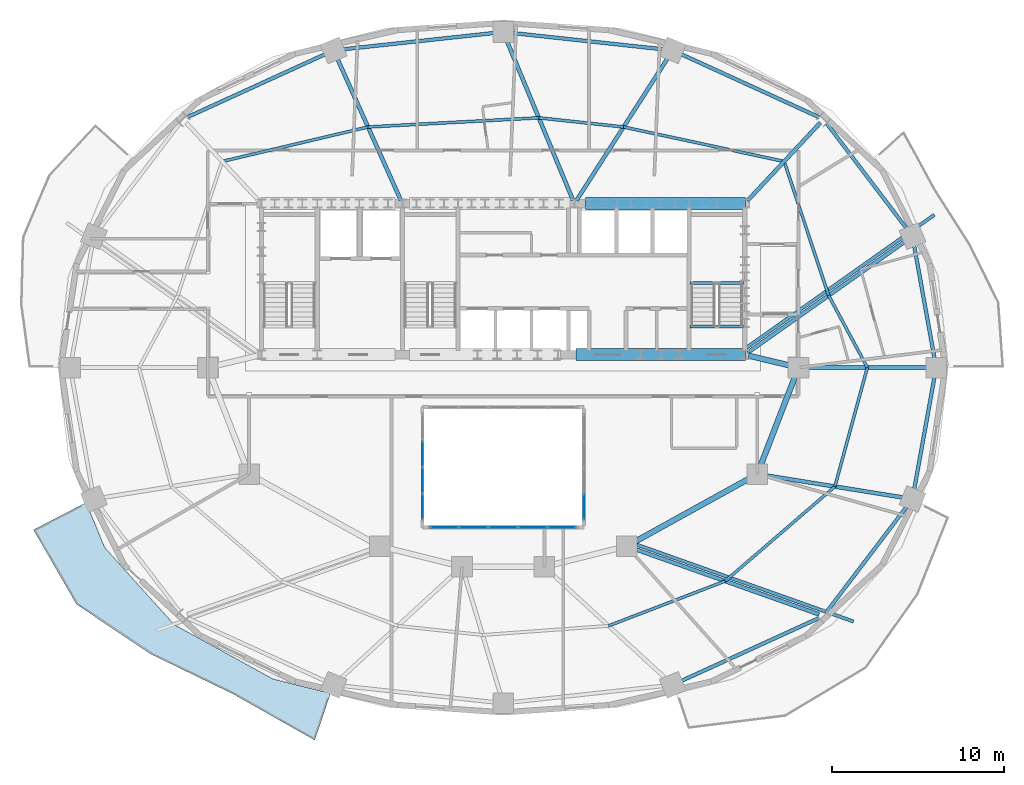
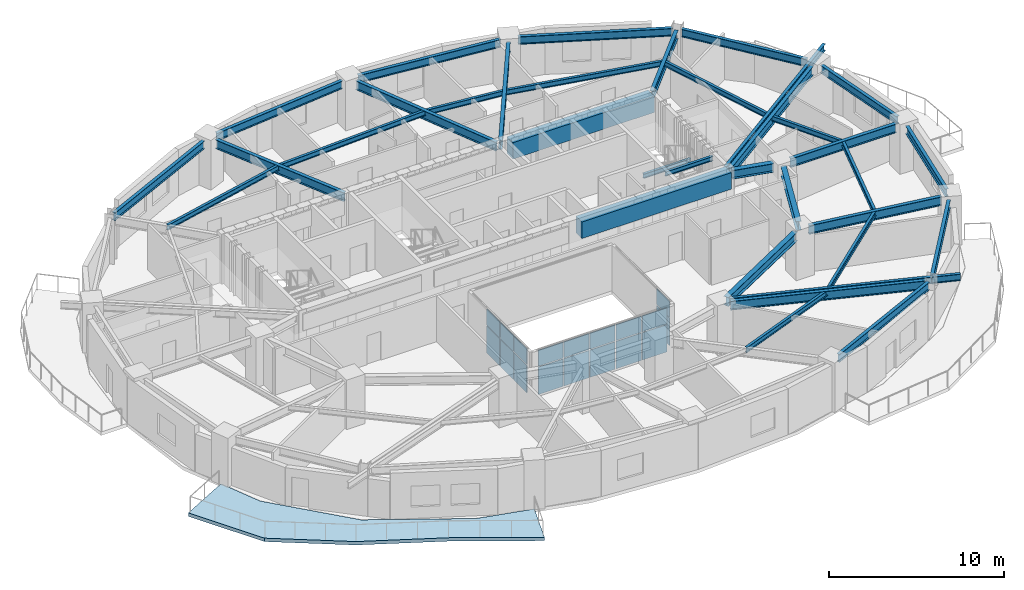
# One storey, part 4 of 13: 35 beams, 18 plates, 1 slab, 3 elements without a shape of their own.
"""IFC4 building model written with IfcOpenShell, lengths in metres."""

from ifc_helpers import new_model, si_unit, direction, frame, origin, origin_2d, place, context, subcontext, project, spatial, polyline, rectangle, i_section, outline, extrude, material, layer, layer_set, material_profile, profile_set, type_object, element, aggregate, save


model = new_model("IFC4")

# Units and contexts
model_context = context("Model", 3, precision=1e-05, world=origin(), true_north=direction((0.0, 1.0)))
body_context = subcontext(model_context, "Body", "Model", "MODEL_VIEW")
ifc_project = project(units=[si_unit("LENGTHUNIT", "METRE"), si_unit("AREAUNIT", "SQUARE_METRE"), si_unit("VOLUMEUNIT", "CUBIC_METRE"), si_unit("PLANEANGLEUNIT", "RADIAN"), si_unit("MASSUNIT", "GRAM", prefix="KILO")], contexts=[model_context])

# Site, building, storey
site_placement = place(None, origin())
site = spatial("IfcSite", under=ifc_project, at=site_placement, CompositionType="ELEMENT")
building_placement = place(site_placement, origin())
building = spatial("IfcBuilding", under=site, at=building_placement, Name="Haldorwick Loom Tower", CompositionType="ELEMENT")
storey_placement = place(building_placement, frame((0.0, 0.0, 135.64990234375)))
storey = spatial("IfcBuildingStorey", under=building, at=storey_placement, Name="L36", CompositionType="ELEMENT", Elevation=135.64990234375)

# Beams
ifc_material_1 = material(Name="Steel CSA G40.21 350W", Category="steel")
ifc_material_profile_1 = material_profile(ifc_material_1, i_section(OverallWidth=0.193115234375, OverallDepth=0.466064453125, WebThickness=0.011474609375, FlangeThickness=0.01904296875, at=origin_2d()), Name="W460X97", Category="steel")
ifc_profile_set_1 = profile_set([ifc_material_profile_1], Name="Steel CSA G40.21 350W")
beam_type_1 = type_object("IfcBeamType", Name="STR-BM-BAL460", PredefinedType="BEAM", material=ifc_profile_set_1)
beam_1_placement = place(storey_placement, frame((43.78369140625, 15.68994140625, 2.97705078125), z_axis=(0.942447955832, -0.334352883266, 0.0), x_axis=(0.334352883266, 0.942447955832, 0.0)))
element("IfcBeam", 1, at=beam_1_placement, inside=storey, type_object=beam_type_1, Name="L36 Continuous Back-Spanned Balcony Beam 1", PredefinedType="BEAM", context=body_context, shape_type="SweptSolid", body=[
    extrude(i_section(OverallWidth=0.193115234375, OverallDepth=0.466064453125, WebThickness=0.011474609375, FlangeThickness=0.01904296875, at=origin_2d()), origin(), (0.0, 0.0, 1.0), 13.385009765625),
])
beam_2_placement = place(storey_placement, frame((50.092041015625, 27.1083984375, 2.97705078125), z_axis=(0.816570288691, 0.577246016554, 0.0), x_axis=(-0.577246016554, 0.816570288691, 0.0)))
element("IfcBeam", 2, at=beam_2_placement, inside=storey, type_object=beam_type_1, Name="L36 Continuous Back-Spanned Balcony Beam 4", PredefinedType="BEAM", context=body_context, shape_type="SweptSolid", body=[
    extrude(i_section(OverallWidth=0.193115234375, OverallDepth=0.466064453125, WebThickness=0.011474609375, FlangeThickness=0.01904296875, at=origin_2d()), origin(), (0.0, 0.0, 1.0), 13.485107421875),
])
ifc_material_2 = material(Name="Concrete C60 (60 MPa)", Category="concrete")
ifc_material_profile_2 = material_profile(ifc_material_2, rectangle(XDim=0.699951171875, YDim=1.14990234375, at=origin_2d()), Name="RC700X1150", Category="concrete")
ifc_profile_set_2 = profile_set([ifc_material_profile_2], Name="Concrete C60 (60 MPa)")
beam_type_2 = type_object("IfcBeamType", Name="STR-BM-CB1150", PredefinedType="LINTEL", material=ifc_profile_set_2)
beam_3_placement = place(storey_placement, frame((40.800048828125, 35.550048828125, 2.635009765625), z_axis=(1.0, 0.0, 0.0), x_axis=(0.0, 1.0, 0.0)))
element("IfcBeam", 3, at=beam_3_placement, inside=storey, type_object=beam_type_2, Name="L36 Core Coupling Beam CB-N3", PredefinedType="LINTEL", context=body_context, shape_type="SweptSolid", body=[
    extrude(rectangle(XDim=0.699951171875, YDim=1.14990234375, at=origin_2d()), origin(), (0.0, 0.0, 1.0), 9.300048828125),
])
beam_4_placement = place(storey_placement, frame((40.25, 26.75, 2.635009765625), z_axis=(1.0, 0.0, 0.0), x_axis=(0.0, 1.0, 0.0)))
element("IfcBeam", 4, at=beam_4_placement, inside=storey, type_object=beam_type_2, Name="L36 Core Coupling Beam CB-S3", PredefinedType="LINTEL", context=body_context, shape_type="SweptSolid", body=[
    extrude(rectangle(XDim=0.699951171875, YDim=1.14990234375, at=origin_2d()), origin(), (0.0, 0.0, 1.0), 9.85009765625),
])
ifc_material_profile_3 = material_profile(ifc_material_1, i_section(OverallWidth=0.172119140625, OverallDepth=0.35791015625, WebThickness=0.0078125, FlangeThickness=0.01318359375, at=origin_2d()), Name="W360X57", Category="steel")
ifc_profile_set_3 = profile_set([ifc_material_profile_3], Name="Steel CSA G40.21 350W")
beam_type_3 = type_object("IfcBeamType", Name="STR-BM-J360", PredefinedType="JOIST", material=ifc_profile_set_3)
beam_5_placement = place(storey_placement, frame((57.20849609375, 26.0, 3.031005859375), z_axis=(-0.472930162238, 0.881099915813, 0.0), x_axis=(-0.881099915813, -0.472930162238, 0.0)))
element("IfcBeam", 5, at=beam_5_placement, inside=storey, type_object=beam_type_3, Name="L36 Mid-Bay Secondary Joist 1", PredefinedType="JOIST", context=body_context, shape_type="SweptSolid", body=[
    extrude(i_section(OverallWidth=0.172119140625, OverallDepth=0.35791015625, WebThickness=0.0078125, FlangeThickness=0.01318359375, at=origin_2d()), origin(), (0.0, 0.0, 1.0), 4.76904296875),
])
beam_6_placement = place(storey_placement, frame((54.953125, 30.201904296875, 3.031005859375), z_axis=(-0.314980632705, 0.949098098734, 0.0), x_axis=(-0.949098098734, -0.314980632705, 0.0)))
element("IfcBeam", 6, at=beam_6_placement, inside=storey, type_object=beam_type_3, Name="L36 Mid-Bay Secondary Joist 2", PredefinedType="JOIST", context=body_context, shape_type="SweptSolid", body=[
    extrude(i_section(OverallWidth=0.172119140625, OverallDepth=0.35791015625, WebThickness=0.0078125, FlangeThickness=0.01318359375, at=origin_2d()), origin(), (0.0, 0.0, 1.0), 8.223876953125),
])
beam_7_placement = place(storey_placement, frame((52.36279296875, 38.007080078125, 3.031005859375), z_axis=(-0.977737366421, 0.209832414808, 0.0), x_axis=(-0.209832414808, -0.977737366421, 0.0)))
element("IfcBeam", 7, at=beam_7_placement, inside=storey, type_object=beam_type_3, Name="L36 Mid-Bay Secondary Joist 3", PredefinedType="JOIST", context=body_context, shape_type="SweptSolid", body=[
    extrude(i_section(OverallWidth=0.172119140625, OverallDepth=0.35791015625, WebThickness=0.0078125, FlangeThickness=0.01318359375, at=origin_2d()), origin(), (0.0, 0.0, 1.0), 9.56396484375),
])
beam_8_placement = place(storey_placement, frame((43.01171875, 40.013916015625, 3.031005859375), z_axis=(-0.994212584227, 0.107430616514, 0.0), x_axis=(-0.107430616514, -0.994212584227, 0.0)))
element("IfcBeam", 8, at=beam_8_placement, inside=storey, type_object=beam_type_3, Name="L36 Mid-Bay Secondary Joist 4", PredefinedType="JOIST", context=body_context, shape_type="SweptSolid", body=[
    extrude(i_section(OverallWidth=0.172119140625, OverallDepth=0.35791015625, WebThickness=0.0078125, FlangeThickness=0.01318359375, at=origin_2d()), origin(), (0.0, 0.0, 1.0), 4.965576171875),
])
beam_9_placement = place(storey_placement, frame((38.074951171875, 40.54736328125, 3.031005859375), z_axis=(-0.998564927415, -0.053554511828, 0.0), x_axis=(0.053554511828, -0.998564927415, 0.0)))
element("IfcBeam", 9, at=beam_9_placement, inside=storey, type_object=beam_type_3, Name="L36 Mid-Bay Secondary Joist 5", PredefinedType="JOIST", context=body_context, shape_type="SweptSolid", body=[
    extrude(i_section(OverallWidth=0.172119140625, OverallDepth=0.35791015625, WebThickness=0.0078125, FlangeThickness=0.01318359375, at=origin_2d()), origin(), (0.0, 0.0, 1.0), 9.9609375),
])
beam_10_placement = place(storey_placement, frame((28.12841796875, 40.013916015625, 3.031005859375), z_axis=(-0.973189168086, -0.230006180612, 0.0), x_axis=(0.230006180612, -0.973189168086, 0.0)))
element("IfcBeam", 10, at=beam_10_placement, inside=storey, type_object=beam_type_3, Name="L36 Mid-Bay Secondary Joist 6", PredefinedType="JOIST", context=body_context, shape_type="SweptSolid", body=[
    extrude(i_section(OverallWidth=0.172119140625, OverallDepth=0.35791015625, WebThickness=0.0078125, FlangeThickness=0.01318359375, at=origin_2d()), origin(), (0.0, 0.0, 1.0), 8.72509765625),
])
beam_11_placement = place(storey_placement, frame((42.13671875, 10.961181640625, 3.031005859375), z_axis=(0.933586737031, 0.358351509609, 0.0), x_axis=(-0.358351509609, 0.933586737031, 0.0)))
element("IfcBeam", 11, at=beam_11_placement, inside=storey, type_object=beam_type_3, Name="L36 Mid-Bay Secondary Joist 14", PredefinedType="JOIST", context=body_context, shape_type="SweptSolid", body=[
    extrude(i_section(OverallWidth=0.172119140625, OverallDepth=0.35791015625, WebThickness=0.0078125, FlangeThickness=0.01318359375, at=origin_2d()), origin(), (0.0, 0.0, 1.0), 7.274169921875),
])
beam_12_placement = place(storey_placement, frame((48.927734375, 13.56787109375, 3.031005859375), z_axis=(0.75763401328, 0.652679631918, 0.0), x_axis=(-0.652679631918, 0.75763401328, 0.0)))
element("IfcBeam", 12, at=beam_12_placement, inside=storey, type_object=beam_type_3, Name="L36 Mid-Bay Secondary Joist 15", PredefinedType="JOIST", context=body_context, shape_type="SweptSolid", body=[
    extrude(i_section(OverallWidth=0.172119140625, OverallDepth=0.35791015625, WebThickness=0.0078125, FlangeThickness=0.01318359375, at=origin_2d()), origin(), (0.0, 0.0, 1.0), 8.4345703125),
])
beam_13_placement = place(storey_placement, frame((55.318115234375, 19.072998046875, 3.031005859375), z_axis=(0.263272762578, 0.964721437766, 0.0), x_axis=(-0.964721437766, 0.263272762578, 0.0)))
element("IfcBeam", 13, at=beam_13_placement, inside=storey, type_object=beam_type_3, Name="L36 Mid-Bay Secondary Joist 16", PredefinedType="JOIST", context=body_context, shape_type="SweptSolid", body=[
    extrude(i_section(OverallWidth=0.172119140625, OverallDepth=0.35791015625, WebThickness=0.0078125, FlangeThickness=0.01318359375, at=origin_2d()), origin(), (0.0, 0.0, 1.0), 7.180419921875),
])
ifc_material_profile_4 = material_profile(ifc_material_1, i_section(OverallWidth=0.2119140625, OverallDepth=0.5439453125, WebThickness=0.01318359375, FlangeThickness=0.021240234375, at=origin_2d()), Name="W530X123", Category="steel")
ifc_profile_set_4 = profile_set([ifc_material_profile_4], Name="Steel CSA G40.21 350W")
beam_type_4 = type_object("IfcBeamType", Name="STR-BM-SP530", PredefinedType="SPANDREL", material=ifc_profile_set_4)
beam_14_placement = place(storey_placement, frame((61.124755859375, 26.51171875, 2.93798828125), z_axis=(-0.177558730702, 0.984110205796, 0.0), x_axis=(-0.984110205796, -0.177558730702, 0.0)))
element("IfcBeam", 14, at=beam_14_placement, inside=storey, type_object=beam_type_4, Name="L36 Perimeter Spandrel 1", PredefinedType="SPANDREL", context=body_context, shape_type="SweptSolid", body=[
    extrude(i_section(OverallWidth=0.2119140625, OverallDepth=0.5439453125, WebThickness=0.01318359375, FlangeThickness=0.021240234375, at=origin_2d()), origin(), (0.0, 0.0, 1.0), 6.737548828125),
])
beam_15_placement = place(storey_placement, frame((59.521240234375, 34.067626953125, 2.93798828125), z_axis=(-0.605421356486, 0.795905133236, 0.0), x_axis=(-0.795905133236, -0.605421356486, 0.0)))
element("IfcBeam", 15, at=beam_15_placement, inside=storey, type_object=beam_type_4, Name="L36 Perimeter Spandrel 2", PredefinedType="SPANDREL", context=body_context, shape_type="SweptSolid", body=[
    extrude(i_section(OverallWidth=0.2119140625, OverallDepth=0.5439453125, WebThickness=0.01318359375, FlangeThickness=0.021240234375, at=origin_2d()), origin(), (0.0, 0.0, 1.0), 7.761962890625),
])
beam_16_placement = place(storey_placement, frame((54.405517578125, 40.57861328125, 2.93798828125), z_axis=(-0.909534296496, 0.415628877121, 0.0), x_axis=(-0.415628877121, -0.909534296496, 0.0)))
element("IfcBeam", 16, at=beam_16_placement, inside=storey, type_object=beam_type_4, Name="L36 Perimeter Spandrel 3", PredefinedType="SPANDREL", context=body_context, shape_type="SweptSolid", body=[
    extrude(i_section(OverallWidth=0.2119140625, OverallDepth=0.5439453125, WebThickness=0.01318359375, FlangeThickness=0.021240234375, at=origin_2d()), origin(), (0.0, 0.0, 1.0), 8.86083984375),
])
for number, where, z_axis, x_axis, name in (
    (17, (45.356201171875, 44.533447265625, 2.93798828125), (-0.994210140187, 0.107453232386, 0.0), (-0.107453232386, -0.994210140187, 0.0), "L36 Perimeter Spandrel 4"),
    (18, (35.48291015625, 45.48876953125, 2.93798828125), (-0.994210140187, -0.107453232386, 0.0), (0.107453232386, -0.994210140187, 0.0), "L36 Perimeter Spandrel 5"),
):
    element("IfcBeam", number, at=place(storey_placement, frame(where, z_axis=z_axis, x_axis=x_axis)), inside=storey, type_object=beam_type_4, Name=name, PredefinedType="SPANDREL", context=body_context, shape_type="SweptSolid", body=[
        extrude(i_section(OverallWidth=0.2119140625, OverallDepth=0.5439453125, WebThickness=0.01318359375, FlangeThickness=0.021240234375, at=origin_2d()), origin(), (0.0, 0.0, 1.0), 8.890625),
    ])
for number, where, z_axis, x_axis, name in (
    (19, (25.65380859375, 44.261474609375, 2.93798828125), (-0.909534296496, -0.415628877121, 0.0), (0.415628877121, -0.909534296496, 0.0), "L36 Perimeter Spandrel 6"),
    (20, (46.34619140625, 7.738525390625, 2.93798828125), (0.909534296496, 0.415628877121, 0.0), (-0.415628877121, 0.909534296496, 0.0), "L36 Perimeter Spandrel 14"),
):
    element("IfcBeam", number, at=place(storey_placement, frame(where, z_axis=z_axis, x_axis=x_axis)), inside=storey, type_object=beam_type_4, Name=name, PredefinedType="SPANDREL", context=body_context, shape_type="SweptSolid", body=[
        extrude(i_section(OverallWidth=0.2119140625, OverallDepth=0.5439453125, WebThickness=0.01318359375, FlangeThickness=0.021240234375, at=origin_2d()), origin(), (0.0, 0.0, 1.0), 8.86083984375),
    ])
beam_17_placement = place(storey_placement, frame((54.822021484375, 11.754638671875, 2.93798828125), z_axis=(0.605421356486, 0.795905133236, 0.0), x_axis=(-0.795905133236, 0.605421356486, 0.0)))
element("IfcBeam", 21, at=beam_17_placement, inside=storey, type_object=beam_type_4, Name="L36 Perimeter Spandrel 15", PredefinedType="SPANDREL", context=body_context, shape_type="SweptSolid", body=[
    extrude(i_section(OverallWidth=0.2119140625, OverallDepth=0.5439453125, WebThickness=0.01318359375, FlangeThickness=0.021240234375, at=origin_2d()), origin(), (0.0, 0.0, 1.0), 7.761962890625),
])
beam_18_placement = place(storey_placement, frame((59.928466796875, 18.85791015625, 2.93798828125), z_axis=(0.177558730702, 0.984110205796, 0.0), x_axis=(-0.984110205796, 0.177558730702, 0.0)))
element("IfcBeam", 22, at=beam_18_placement, inside=storey, type_object=beam_type_4, Name="L36 Perimeter Spandrel 16", PredefinedType="SPANDREL", context=body_context, shape_type="SweptSolid", body=[
    extrude(i_section(OverallWidth=0.2119140625, OverallDepth=0.5439453125, WebThickness=0.01318359375, FlangeThickness=0.021240234375, at=origin_2d()), origin(), (0.0, 0.0, 1.0), 6.737548828125),
])
ifc_material_profile_5 = material_profile(ifc_material_1, i_section(OverallWidth=0.166015625, OverallDepth=0.31298828125, WebThickness=0.006591796875, FlangeThickness=0.01123046875, at=origin_2d()), Name="W310X45", Category="steel")
ifc_profile_set_5 = profile_set([ifc_material_profile_5], Name="Steel CSA G40.21 350W")
beam_type_5 = type_object("IfcBeamType", Name="STR-BM-STRM", PredefinedType="BEAM", material=ifc_profile_set_5)
for number, where, z_axis, x_axis, name in (
    (23, (46.889892578125, 28.39990234375, 3.0537109375), (1.0, 0.0, 0.0), (0.0, 1.0, 0.0), "L36 Stair ST-02 Landing Edge Trimmer"),
    (24, (46.889892578125, 30.919921875, 1.36865234375), (1.0, 0.0, 0.0), (0.0, 1.0, 0.0), "L36 Stair ST-02 Half-Landing Trimmer 1"),
):
    element("IfcBeam", number, at=place(storey_placement, frame(where, z_axis=z_axis, x_axis=x_axis)), inside=storey, type_object=beam_type_5, Name=name, PredefinedType="BEAM", context=body_context, shape_type="SweptSolid", body=[
        extrude(i_section(OverallWidth=0.166015625, OverallDepth=0.31298828125, WebThickness=0.006591796875, FlangeThickness=0.01123046875, at=origin_2d()), origin(), (0.0, 0.0, 1.0), 3.1201171875),
    ])
ifc_material_profile_6 = material_profile(ifc_material_1, i_section(OverallWidth=0.324951171875, OverallDepth=0.615966796875, WebThickness=0.013916015625, FlangeThickness=0.021484375, at=origin_2d()), Name="W610X174", Category="steel")
ifc_profile_set_6 = profile_set([ifc_material_profile_6], Name="Steel CSA G40.21 350W")
beam_type_6 = type_object("IfcBeamType", Name="STR-BM-W610A", PredefinedType="BEAM", material=ifc_profile_set_6)
beam_19_placement = place(storey_placement, frame((50.288818359375, 26.697509765625, 2.902099609375), z_axis=(0.97247055837, -0.233025777764, 0.0), x_axis=(0.233025777764, 0.97247055837, 0.0)))
element("IfcBeam", 25, at=beam_19_placement, inside=storey, type_object=beam_type_6, Name="L36 Inner Ring Girder 1", PredefinedType="BEAM", context=body_context, shape_type="SweptSolid", body=[
    extrude(i_section(OverallWidth=0.324951171875, OverallDepth=0.615966796875, WebThickness=0.013916015625, FlangeThickness=0.021484375, at=origin_2d()), origin(), (0.0, 0.0, 1.0), 2.4736328125),
])
beam_20_placement = place(storey_placement, frame((53.01220703125, 25.51513671875, 2.902099609375), z_axis=(-0.360964792353, -0.93257944363, 0.0), x_axis=(0.93257944363, -0.360964792353, 0.0)))
element("IfcBeam", 26, at=beam_20_placement, inside=storey, type_object=beam_type_6, Name="L36 Inner Ring Girder 2", PredefinedType="BEAM", context=body_context, shape_type="SweptSolid", body=[
    extrude(i_section(OverallWidth=0.324951171875, OverallDepth=0.615966796875, WebThickness=0.013916015625, FlangeThickness=0.021484375, at=origin_2d()), origin(), (0.0, 0.0, 1.0), 5.6083984375),
])
beam_21_placement = place(storey_placement, frame((50.344970703125, 19.548583984375, 2.902099609375), z_axis=(-0.875244382146, -0.483680960471, 0.0), x_axis=(0.483680960471, -0.875244382146, 0.0)))
element("IfcBeam", 27, at=beam_21_placement, inside=storey, type_object=beam_type_6, Name="L36 Inner Ring Girder 3", PredefinedType="BEAM", context=body_context, shape_type="SweptSolid", body=[
    extrude(i_section(OverallWidth=0.324951171875, OverallDepth=0.615966796875, WebThickness=0.013916015625, FlangeThickness=0.021484375, at=origin_2d()), origin(), (0.0, 0.0, 1.0), 7.6435546875),
])
ifc_material_profile_7 = material_profile(ifc_material_1, i_section(OverallWidth=0.22998046875, OverallDepth=0.616943359375, WebThickness=0.01318359375, FlangeThickness=0.022216796875, at=origin_2d()), Name="W610X140", Category="steel")
ifc_profile_set_7 = profile_set([ifc_material_profile_7], Name="Steel CSA G40.21 350W")
beam_type_7 = type_object("IfcBeamType", Name="STR-BM-W610B", PredefinedType="BEAM", material=ifc_profile_set_7)
beam_22_placement = place(storey_placement, frame((53.719970703125, 26.0, 2.901611328125), z_axis=(1.0, 0.0, 0.0), x_axis=(0.0, 1.0, 0.0)))
element("IfcBeam", 28, at=beam_22_placement, inside=storey, type_object=beam_type_7, Name="L36 Radial Floor Girder 1", PredefinedType="BEAM", context=body_context, shape_type="SweptSolid", body=[
    extrude(i_section(OverallWidth=0.22998046875, OverallDepth=0.616943359375, WebThickness=0.01318359375, FlangeThickness=0.022216796875, at=origin_2d()), origin(), (0.0, 0.0, 1.0), 6.97705078125),
])
beam_23_placement = place(storey_placement, frame((50.253662109375, 26.8798828125, 2.901611328125), z_axis=(0.816581567299, 0.577230061542, 0.0), x_axis=(-0.577230061542, 0.816581567299, 0.0)))
element("IfcBeam", 29, at=beam_23_placement, inside=storey, type_object=beam_type_7, Name="L36 Radial Floor Girder 2", PredefinedType="BEAM", context=body_context, shape_type="SweptSolid", body=[
    extrude(i_section(OverallWidth=0.22998046875, OverallDepth=0.616943359375, WebThickness=0.01318359375, FlangeThickness=0.022216796875, at=origin_2d()), origin(), (0.0, 0.0, 1.0), 11.215087890625),
])
beam_24_placement = place(storey_placement, frame((50.223388671875, 35.714599609375, 2.901611328125), z_axis=(0.682256728841, 0.731112683484, 0.0), x_axis=(-0.731112683484, 0.682256728841, 0.0)))
element("IfcBeam", 30, at=beam_24_placement, inside=storey, type_object=beam_type_7, Name="L36 Radial Floor Girder 3", PredefinedType="BEAM", context=body_context, shape_type="SweptSolid", body=[
    extrude(i_section(OverallWidth=0.22998046875, OverallDepth=0.616943359375, WebThickness=0.01318359375, FlangeThickness=0.022216796875, at=origin_2d()), origin(), (0.0, 0.0, 1.0), 6.221435546875),
])
beam_25_placement = place(storey_placement, frame((40.271484375, 35.739501953125, 2.901611328125), z_axis=(0.53969086509, 0.841863272829, 0.0), x_axis=(-0.841863272829, 0.53969086509, 0.0)))
element("IfcBeam", 31, at=beam_25_placement, inside=storey, type_object=beam_type_7, Name="L36 Radial Floor Girder 4", PredefinedType="BEAM", context=body_context, shape_type="SweptSolid", body=[
    extrude(i_section(OverallWidth=0.22998046875, OverallDepth=0.616943359375, WebThickness=0.01318359375, FlangeThickness=0.022216796875, at=origin_2d()), origin(), (0.0, 0.0, 1.0), 9.859375),
])
beam_26_placement = place(storey_placement, frame((40.063720703125, 35.7578125, 2.901611328125), z_axis=(-0.383472813848, 0.923552164764, 0.0), x_axis=(-0.923552164764, -0.383472813848, 0.0)))
element("IfcBeam", 32, at=beam_26_placement, inside=storey, type_object=beam_type_7, Name="L36 Radial Floor Girder 5", PredefinedType="BEAM", context=body_context, shape_type="SweptSolid", body=[
    extrude(i_section(OverallWidth=0.22998046875, OverallDepth=0.616943359375, WebThickness=0.01318359375, FlangeThickness=0.022216796875, at=origin_2d()), origin(), (0.0, 0.0, 1.0), 10.076904296875),
])
beam_27_placement = place(storey_placement, frame((30.037841796875, 35.75537109375, 2.901611328125), z_axis=(-0.409143536778, 0.912470035844, 0.0), x_axis=(-0.912470035844, -0.409143536778, 0.0)))
element("IfcBeam", 33, at=beam_27_placement, inside=storey, type_object=beam_type_7, Name="L36 Radial Floor Girder 6", PredefinedType="BEAM", context=body_context, shape_type="SweptSolid", body=[
    extrude(i_section(OverallWidth=0.22998046875, OverallDepth=0.616943359375, WebThickness=0.01318359375, FlangeThickness=0.022216796875, at=origin_2d()), origin(), (0.0, 0.0, 1.0), 9.0390625),
])
beam_28_placement = place(storey_placement, frame((43.690185546875, 15.426025390625, 2.901611328125), z_axis=(0.9424463153, -0.334357507433, 0.0), x_axis=(0.334357507433, 0.9424463153, 0.0)))
element("IfcBeam", 34, at=beam_28_placement, inside=storey, type_object=beam_type_7, Name="L36 Radial Floor Girder 15", PredefinedType="BEAM", context=body_context, shape_type="SweptSolid", body=[
    extrude(i_section(OverallWidth=0.22998046875, OverallDepth=0.616943359375, WebThickness=0.01318359375, FlangeThickness=0.022216796875, at=origin_2d()), origin(), (0.0, 0.0, 1.0), 11.360107421875),
])
beam_29_placement = place(storey_placement, frame((51.3134765625, 19.71728515625, 2.901611328125), z_axis=(0.987308639475, -0.158813256432, 0.0), x_axis=(0.158813256432, 0.987308639475, 0.0)))
element("IfcBeam", 35, at=beam_29_placement, inside=storey, type_object=beam_type_7, Name="L36 Radial Floor Girder 16", PredefinedType="BEAM", context=body_context, shape_type="SweptSolid", body=[
    extrude(i_section(OverallWidth=0.22998046875, OverallDepth=0.616943359375, WebThickness=0.01318359375, FlangeThickness=0.022216796875, at=origin_2d()), origin(), (0.0, 0.0, 1.0), 8.1123046875),
])

# Curtain wall, plates
ifc_material_3 = material(Name="Thermally Broken Anodized Aluminium Curtain Wall Framing", Category="aluminium")
curtain_wall_type = type_object("IfcCurtainWallType", Name="ARC-CW-03", PredefinedType="NOTDEFINED", material=ifc_material_3)
curtain_wall_1_placement = place(storey_placement, origin())
curtain_wall_1 = element("IfcCurtainWall", 36, at=curtain_wall_1_placement, inside=storey, type_object=curtain_wall_type, Name="L36 Atrium Glazed Screen S", PredefinedType="NOTDEFINED")
ifc_material_4 = material(Name="Triple-Glazed Low-E Argon Insulated Glazing Unit", Category="glass")
ifc_layer_1 = layer(ifc_material_4, 0.04296875, Name="Triple-Glazed Low-E Argon Insulated Glazing Unit", Category="glass")
ifc_layer_set_1 = layer_set([ifc_layer_1], Name="Triple-Glazed Low-E Argon Insulated Glazing Unit")
plate_type = type_object("IfcPlateType", Name="ARC-CWP-03", PredefinedType="CURTAIN_PANEL", material=ifc_layer_set_1)
plate_1_placement = place(storey_placement, frame((39.423583984375, 16.699951171875, 0.066162109375), z_axis=(0.0, 0.0, 1.0), x_axis=(-1.0, 0.0, 0.0)))
plate_1 = element("IfcPlate", 37, at=plate_1_placement, type_object=plate_type, Name="CW-03 panel 1.1", PredefinedType="CURTAIN_PANEL", context=body_context, shape_type="SweptSolid", body=[
    extrude(rectangle(XDim=1.62109375, YDim=0.04296875, at=origin_2d()), origin(), (0.0, 0.0, 1.0), 1.90087890625),
])
plate_2_placement = place(storey_placement, frame((39.423583984375, 16.699951171875, 2.033203125), z_axis=(0.0, 0.0, 1.0), x_axis=(-1.0, 0.0, 0.0)))
plate_2 = element("IfcPlate", 38, at=plate_2_placement, type_object=plate_type, Name="CW-03 panel 1.2", PredefinedType="CURTAIN_PANEL", context=body_context, shape_type="SweptSolid", body=[
    extrude(rectangle(XDim=1.62109375, YDim=0.04296875, at=origin_2d()), origin(), (0.0, 0.0, 1.0), 1.111083984375),
])
plate_3_placement = place(storey_placement, frame((37.719970703125, 16.699951171875, 0.066162109375), z_axis=(0.0, 0.0, 1.0), x_axis=(-1.0, 0.0, 0.0)))
plate_3 = element("IfcPlate", 39, at=plate_3_placement, type_object=plate_type, Name="CW-03 panel 2.1", PredefinedType="CURTAIN_PANEL", context=body_context, shape_type="SweptSolid", body=[
    extrude(rectangle(XDim=1.654052734375, YDim=0.04296875, at=origin_2d()), origin(), (0.0, 0.0, 1.0), 1.90087890625),
])
plate_4_placement = place(storey_placement, frame((37.719970703125, 16.699951171875, 2.033203125), z_axis=(0.0, 0.0, 1.0), x_axis=(-1.0, 0.0, 0.0)))
plate_4 = element("IfcPlate", 40, at=plate_4_placement, type_object=plate_type, Name="CW-03 panel 2.2", PredefinedType="CURTAIN_PANEL", context=body_context, shape_type="SweptSolid", body=[
    extrude(rectangle(XDim=1.654052734375, YDim=0.04296875, at=origin_2d()), origin(), (0.0, 0.0, 1.0), 1.111083984375),
])
plate_5_placement = place(storey_placement, frame((36.0, 16.699951171875, 0.066162109375), z_axis=(0.0, 0.0, 1.0), x_axis=(-1.0, 0.0, 0.0)))
plate_5 = element("IfcPlate", 41, at=plate_5_placement, type_object=plate_type, Name="CW-03 panel 3.1", PredefinedType="CURTAIN_PANEL", context=body_context, shape_type="SweptSolid", body=[
    extrude(rectangle(XDim=1.654052734375, YDim=0.04296875, at=origin_2d()), origin(), (0.0, 0.0, 1.0), 1.90087890625),
])
plate_6_placement = place(storey_placement, frame((36.0, 16.699951171875, 2.033203125), z_axis=(0.0, 0.0, 1.0), x_axis=(-1.0, 0.0, 0.0)))
plate_6 = element("IfcPlate", 42, at=plate_6_placement, type_object=plate_type, Name="CW-03 panel 3.2", PredefinedType="CURTAIN_PANEL", context=body_context, shape_type="SweptSolid", body=[
    extrude(rectangle(XDim=1.654052734375, YDim=0.04296875, at=origin_2d()), origin(), (0.0, 0.0, 1.0), 1.111083984375),
])
plate_7_placement = place(storey_placement, frame((34.280029296875, 16.699951171875, 0.066162109375), z_axis=(0.0, 0.0, 1.0), x_axis=(-1.0, 0.0, 0.0)))
plate_7 = element("IfcPlate", 43, at=plate_7_placement, type_object=plate_type, Name="CW-03 panel 4.1", PredefinedType="CURTAIN_PANEL", context=body_context, shape_type="SweptSolid", body=[
    extrude(rectangle(XDim=1.654052734375, YDim=0.04296875, at=origin_2d()), origin(), (0.0, 0.0, 1.0), 1.90087890625),
])
plate_8_placement = place(storey_placement, frame((34.280029296875, 16.699951171875, 2.033203125), z_axis=(0.0, 0.0, 1.0), x_axis=(-1.0, 0.0, 0.0)))
plate_8 = element("IfcPlate", 44, at=plate_8_placement, type_object=plate_type, Name="CW-03 panel 4.2", PredefinedType="CURTAIN_PANEL", context=body_context, shape_type="SweptSolid", body=[
    extrude(rectangle(XDim=1.654052734375, YDim=0.04296875, at=origin_2d()), origin(), (0.0, 0.0, 1.0), 1.111083984375),
])
plate_9_placement = place(storey_placement, frame((32.576416015625, 16.699951171875, 0.066162109375), z_axis=(0.0, 0.0, 1.0), x_axis=(-1.0, 0.0, 0.0)))
plate_9 = element("IfcPlate", 45, at=plate_9_placement, type_object=plate_type, Name="CW-03 panel 5.1", PredefinedType="CURTAIN_PANEL", context=body_context, shape_type="SweptSolid", body=[
    extrude(rectangle(XDim=1.62109375, YDim=0.04296875, at=origin_2d()), origin(), (0.0, 0.0, 1.0), 1.90087890625),
])
plate_10_placement = place(storey_placement, frame((32.576416015625, 16.699951171875, 2.033203125), z_axis=(0.0, 0.0, 1.0), x_axis=(-1.0, 0.0, 0.0)))
plate_10 = element("IfcPlate", 46, at=plate_10_placement, type_object=plate_type, Name="CW-03 panel 5.2", PredefinedType="CURTAIN_PANEL", context=body_context, shape_type="SweptSolid", body=[
    extrude(rectangle(XDim=1.62109375, YDim=0.04296875, at=origin_2d()), origin(), (0.0, 0.0, 1.0), 1.111083984375),
])
aggregate(curtain_wall_1, [plate_1, plate_2, plate_3, plate_4, plate_5, plate_6, plate_7, plate_8, plate_9, plate_10])

curtain_wall_2_placement = place(storey_placement, origin())
curtain_wall_2 = element("IfcCurtainWall", 47, at=curtain_wall_2_placement, inside=storey, type_object=curtain_wall_type, Name="L36 Atrium Glazed Screen W", PredefinedType="NOTDEFINED")
plate_11_placement = place(storey_placement, frame((31.300048828125, 17.8916015625, 0.066162109375), z_axis=(0.0, 0.0, 1.0), x_axis=(0.0, 1.0, 0.0)))
plate_11 = element("IfcPlate", 48, at=plate_11_placement, type_object=plate_type, Name="CW-03 panel 1.1", PredefinedType="CURTAIN_PANEL", context=body_context, shape_type="SweptSolid", body=[
    extrude(rectangle(XDim=1.450927734375, YDim=0.04296875, at=origin_2d()), origin(), (0.0, 0.0, 1.0), 1.90087890625),
])
plate_12_placement = place(storey_placement, frame((31.300048828125, 17.8916015625, 2.033203125), z_axis=(0.0, 0.0, 1.0), x_axis=(0.0, 1.0, 0.0)))
plate_12 = element("IfcPlate", 49, at=plate_12_placement, type_object=plate_type, Name="CW-03 panel 1.2", PredefinedType="CURTAIN_PANEL", context=body_context, shape_type="SweptSolid", body=[
    extrude(rectangle(XDim=1.450927734375, YDim=0.04296875, at=origin_2d()), origin(), (0.0, 0.0, 1.0), 1.111083984375),
])
plate_13_placement = place(storey_placement, frame((31.300048828125, 19.425048828125, 0.066162109375), z_axis=(0.0, 0.0, 1.0), x_axis=(0.0, 1.0, 0.0)))
plate_13 = element("IfcPlate", 50, at=plate_13_placement, type_object=plate_type, Name="CW-03 panel 2.1", PredefinedType="CURTAIN_PANEL", context=body_context, shape_type="SweptSolid", body=[
    extrude(rectangle(XDim=1.48388671875, YDim=0.04296875, at=origin_2d()), origin(), (0.0, 0.0, 1.0), 1.90087890625),
])
plate_14_placement = place(storey_placement, frame((31.300048828125, 19.425048828125, 2.033203125), z_axis=(0.0, 0.0, 1.0), x_axis=(0.0, 1.0, 0.0)))
plate_14 = element("IfcPlate", 51, at=plate_14_placement, type_object=plate_type, Name="CW-03 panel 2.2", PredefinedType="CURTAIN_PANEL", context=body_context, shape_type="SweptSolid", body=[
    extrude(rectangle(XDim=1.48388671875, YDim=0.04296875, at=origin_2d()), origin(), (0.0, 0.0, 1.0), 1.111083984375),
])
plate_15_placement = place(storey_placement, frame((31.300048828125, 20.97509765625, 0.066162109375), z_axis=(0.0, 0.0, 1.0), x_axis=(0.0, 1.0, 0.0)))
plate_15 = element("IfcPlate", 52, at=plate_15_placement, type_object=plate_type, Name="CW-03 panel 3.1", PredefinedType="CURTAIN_PANEL", context=body_context, shape_type="SweptSolid", body=[
    extrude(rectangle(XDim=1.48388671875, YDim=0.04296875, at=origin_2d()), origin(), (0.0, 0.0, 1.0), 1.90087890625),
])
plate_16_placement = place(storey_placement, frame((31.300048828125, 20.97509765625, 2.033203125), z_axis=(0.0, 0.0, 1.0), x_axis=(0.0, 1.0, 0.0)))
plate_16 = element("IfcPlate", 53, at=plate_16_placement, type_object=plate_type, Name="CW-03 panel 3.2", PredefinedType="CURTAIN_PANEL", context=body_context, shape_type="SweptSolid", body=[
    extrude(rectangle(XDim=1.48388671875, YDim=0.04296875, at=origin_2d()), origin(), (0.0, 0.0, 1.0), 1.111083984375),
])
aggregate(curtain_wall_2, [plate_11, plate_12, plate_13, plate_14, plate_15, plate_16])

curtain_wall_3_placement = place(storey_placement, origin())
curtain_wall_3 = element("IfcCurtainWall", 54, at=curtain_wall_3_placement, inside=storey, type_object=curtain_wall_type, Name="L36 Atrium Glazed Screen E", PredefinedType="NOTDEFINED")
plate_17_placement = place(storey_placement, frame((40.699951171875, 17.8916015625, 0.066162109375), z_axis=(0.0, 0.0, 1.0), x_axis=(0.0, -1.0, 0.0)))
plate_17 = element("IfcPlate", 55, at=plate_17_placement, type_object=plate_type, Name="CW-03 panel 4.1", PredefinedType="CURTAIN_PANEL", context=body_context, shape_type="SweptSolid", body=[
    extrude(rectangle(XDim=1.450927734375, YDim=0.04296875, at=origin_2d()), origin(), (0.0, 0.0, 1.0), 1.90087890625),
])
plate_18_placement = place(storey_placement, frame((40.699951171875, 17.8916015625, 2.033203125), z_axis=(0.0, 0.0, 1.0), x_axis=(0.0, -1.0, 0.0)))
plate_18 = element("IfcPlate", 56, at=plate_18_placement, type_object=plate_type, Name="CW-03 panel 4.2", PredefinedType="CURTAIN_PANEL", context=body_context, shape_type="SweptSolid", body=[
    extrude(rectangle(XDim=1.450927734375, YDim=0.04296875, at=origin_2d()), origin(), (0.0, 0.0, 1.0), 1.111083984375),
])
aggregate(curtain_wall_3, [plate_17, plate_18])

# Slab
ifc_material_5 = material(Name="Concrete C40 (40 MPa)", Category="concrete")
ifc_layer_2 = layer(ifc_material_5, 0.239990234375, Name="Concrete C40 (40 MPa)", Category="concrete")
ifc_layer_set_2 = layer_set([ifc_layer_2], Name="Concrete C40 (40 MPa)")
slab_type = type_object("IfcSlabType", Name="STR-SLB-BAL240", PredefinedType="FLOOR", material=ifc_layer_set_2)
slab_placement = place(storey_placement, frame((0.0, 0.0, -0.239990234375)))
element("IfcSlab", 57, at=slab_placement, inside=storey, type_object=slab_type, Name="L36 Sinusoidal Balcony Terrace BAL_SW", PredefinedType="FLOOR", context=body_context, shape_type="SweptSolid", body=[
    extrude(outline(polyline([(25.9404296875, 7.027587890625), (22.6005859375, 7.861572265625), (22.599365234375, 7.86181640625), (22.59814453125, 7.8623046875), (22.596923828125, 7.863037109375), (16.84228515625, 11.02783203125), (16.8408203125, 11.028564453125), (16.83935546875, 11.02978515625), (16.83837890625, 11.031005859375), (12.786865234375, 15.526123046875), (12.785888671875, 15.527099609375), (12.78515625, 15.528076171875), (12.78466796875, 15.529296875), (12.783935546875, 15.530517578125), (11.7158203125, 18.141357421875), (8.64599609375, 16.555908203125), (11.153564453125, 12.208251953125), (15.495849609375, 9.30810546875), (20.25439453125, 7.0), (25.0263671875, 4.302490234375), (25.9404296875, 7.027587890625)])), origin(), (0.0, 0.0, 1.0), 0.239990234375),
])

save(model, "model.ifc")
